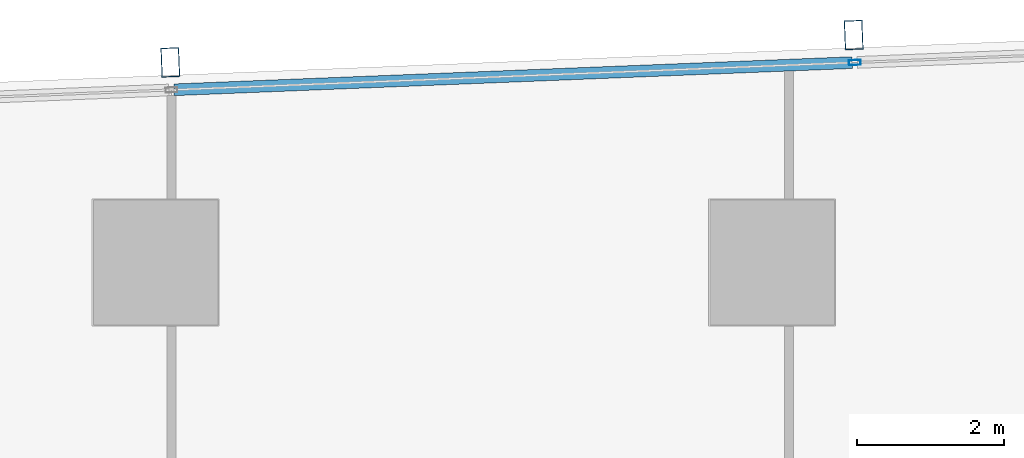
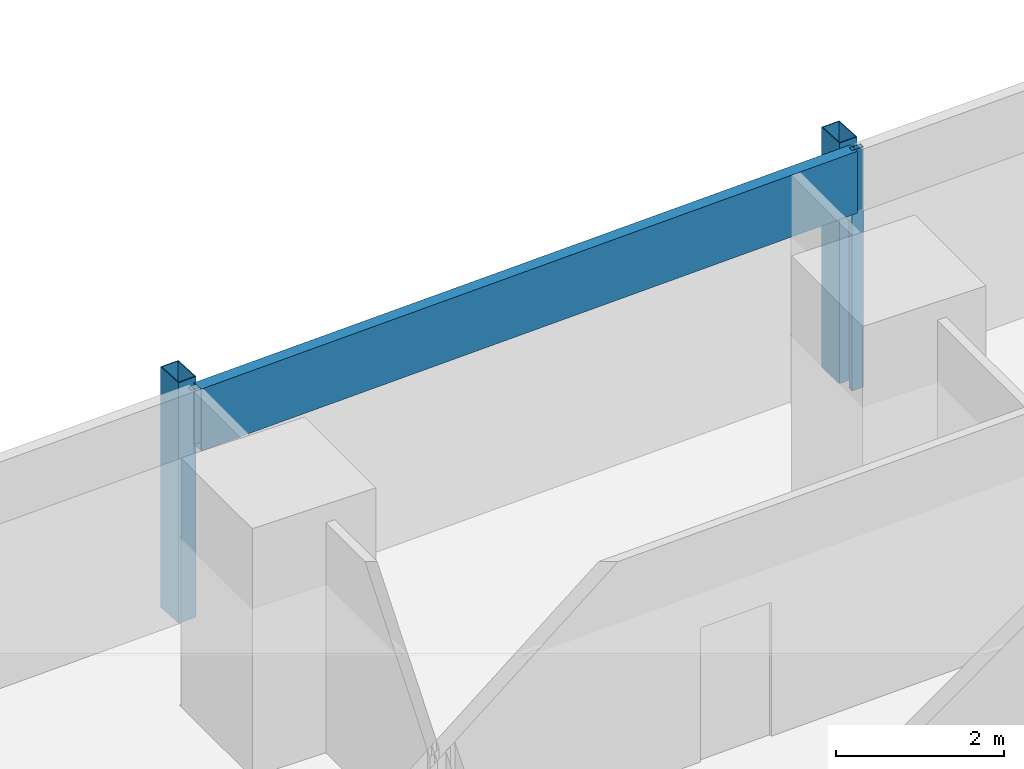
# One storey, part 17 of 40: 4 members, 1 element without a shape of its own.
"""IFC4 building model written with IfcOpenShell, lengths in metres."""

from ifc_helpers import new_model, si_unit, direction, frame, origin, origin_2d, place, context, subcontext, project, spatial, hollow_rectangle, extrude, material, material_profile, profile_set, type_object, element, aggregate, save


model = new_model("IFC4")

# Units and contexts
model_context = context("Model", 3, precision=1e-05, world=origin(), true_north=direction((0.0, 1.0)))
body_context = subcontext(model_context, "Body", "Model", "MODEL_VIEW")
ifc_project = project(units=[si_unit("LENGTHUNIT", "METRE"), si_unit("AREAUNIT", "SQUARE_METRE"), si_unit("VOLUMEUNIT", "CUBIC_METRE"), si_unit("PLANEANGLEUNIT", "RADIAN"), si_unit("MASSUNIT", "GRAM", prefix="KILO")], contexts=[model_context])

# Site, building, storey
site_placement = place(None, origin())
site = spatial("IfcSite", under=ifc_project, at=site_placement, CompositionType="ELEMENT")
building_placement = place(site_placement, origin())
building = spatial("IfcBuilding", under=site, at=building_placement, Name="Rekha Terrace Tower", CompositionType="ELEMENT")
storey_placement = place(building_placement, frame((0.0, 0.0, 140.300048828125)))
storey = spatial("IfcBuildingStorey", under=building, at=storey_placement, Name="L35", CompositionType="ELEMENT", Elevation=140.300048828125)

# Curtain wall, members
ifc_material_1 = material(Name="Aluminium framing", Category="aluminium")
curtain_wall_type = type_object("IfcCurtainWallType", Name="CW3 north unitised glazing", PredefinedType="USERDEFINED", material=ifc_material_1)
curtain_wall_placement = place(storey_placement, origin())
curtain_wall = element("IfcCurtainWall", 1, at=curtain_wall_placement, inside=storey, type_object=curtain_wall_type, Name="CW3 unitised curtain wall", ObjectType="UNITISED CURTAIN WALL", PredefinedType="USERDEFINED")
ifc_material_2 = material(Name="Steel S355 with fluorocarbon finish", Category="steel")
ifc_material_profile_1 = material_profile(ifc_material_2, hollow_rectangle(XDim=0.25, YDim=0.39990234375, WallThickness=0.012451171875, at=origin_2d()), Name="RHS400x250x12.5")
ifc_profile_set_1 = profile_set([ifc_material_profile_1], Name="Steel S355 with fluorocarbon finish")
member_type_1 = type_object("IfcMemberType", Name="BL1 facade blade RHS 400 x 250", PredefinedType="USERDEFINED", material=ifc_profile_set_1)
member_1_placement = place(storey_placement, frame((34.7109375, 61.9013671875, 0.0), z_axis=(0.0, 0.0, 1.0), x_axis=(-0.999198382632, -0.040032388711, 0.0)))
member_1 = element("IfcMember", 2, at=member_1_placement, type_object=member_type_1, Name="Facade blade", ObjectType="FACADE BLADE", PredefinedType="USERDEFINED", context=body_context, shape_type="SweptSolid", body=[
    extrude(hollow_rectangle(XDim=0.25, YDim=0.39990234375, WallThickness=0.012451171875, at=origin_2d()), origin(), (0.0, 0.0, 1.0), 3.5),
])
member_2_placement = place(storey_placement, frame((25.39892578125, 61.5283203125, 0.0), z_axis=(0.0, 0.0, 1.0), x_axis=(-0.999198382632, -0.040032388711, 0.0)))
member_2 = element("IfcMember", 3, at=member_2_placement, type_object=member_type_1, Name="Facade blade", ObjectType="FACADE BLADE", PredefinedType="USERDEFINED", context=body_context, shape_type="SweptSolid", body=[
    extrude(hollow_rectangle(XDim=0.25, YDim=0.39990234375, WallThickness=0.012451171875, at=origin_2d()), origin(), (0.0, 0.0, 1.0), 3.5),
])
ifc_material_3 = material(Name="Aluminium mullion section", Category="aluminium")
ifc_material_profile_2 = material_profile(ifc_material_3, hollow_rectangle(XDim=0.070068359375, YDim=0.159912109375, WallThickness=0.00390625, at=origin_2d()), Name="AL RHS 70x160")
ifc_profile_set_2 = profile_set([ifc_material_profile_2], Name="Aluminium mullion section")
member_type_2 = type_object("IfcMemberType", Name="CW3 mullion RHS 70 x 160", PredefinedType="MULLION", material=ifc_profile_set_2)
member_3_placement = place(storey_placement, frame((34.725830078125, 61.526611328125, 0.0), z_axis=(0.0, 0.0, 1.0), x_axis=(0.040031987119, -0.999198398721, 0.0)))
member_3 = element("IfcMember", 4, at=member_3_placement, type_object=member_type_2, Name="CW3 mullion 2", PredefinedType="MULLION", context=body_context, shape_type="SweptSolid", body=[
    extrude(hollow_rectangle(XDim=0.070068359375, YDim=0.159912109375, WallThickness=0.00390625, at=origin_2d()), origin(), (0.0, 0.0, 1.0), 3.5),
])
ifc_material_4 = material(Name="Insulated aluminium spandrel box", Category="aluminium")
ifc_material_profile_3 = material_profile(ifc_material_4, hollow_rectangle(XDim=0.159912109375, YDim=0.89990234375, WallThickness=0.0029296875, at=origin_2d()), Name="AL SPANDREL BOX 160x900")
ifc_profile_set_3 = profile_set([ifc_material_profile_3], Name="Insulated aluminium spandrel box")
member_type_3 = type_object("IfcMemberType", Name="CW3 spandrel transom 160 x 900", PredefinedType="USERDEFINED", material=ifc_profile_set_3)
member_4_placement = place(storey_placement, frame((34.69091796875, 61.525390625, 3.050048828125), z_axis=(-0.999198046754, -0.040040771263, 0.0), x_axis=(0.040040771263, -0.999198046754, 0.0)))
member_4 = element("IfcMember", 5, at=member_4_placement, type_object=member_type_3, Name="CW3 spandrel transom 2", ObjectType="TRANSOM", PredefinedType="USERDEFINED", context=body_context, shape_type="SweptSolid", body=[
    extrude(hollow_rectangle(XDim=0.159912109375, YDim=0.89990234375, WallThickness=0.0029296875, at=origin_2d()), origin(), (0.0, 0.0, 1.0), 9.24951171875),
])
aggregate(curtain_wall, [member_3, member_4, member_1, member_2])

save(model, "model.ifc")
